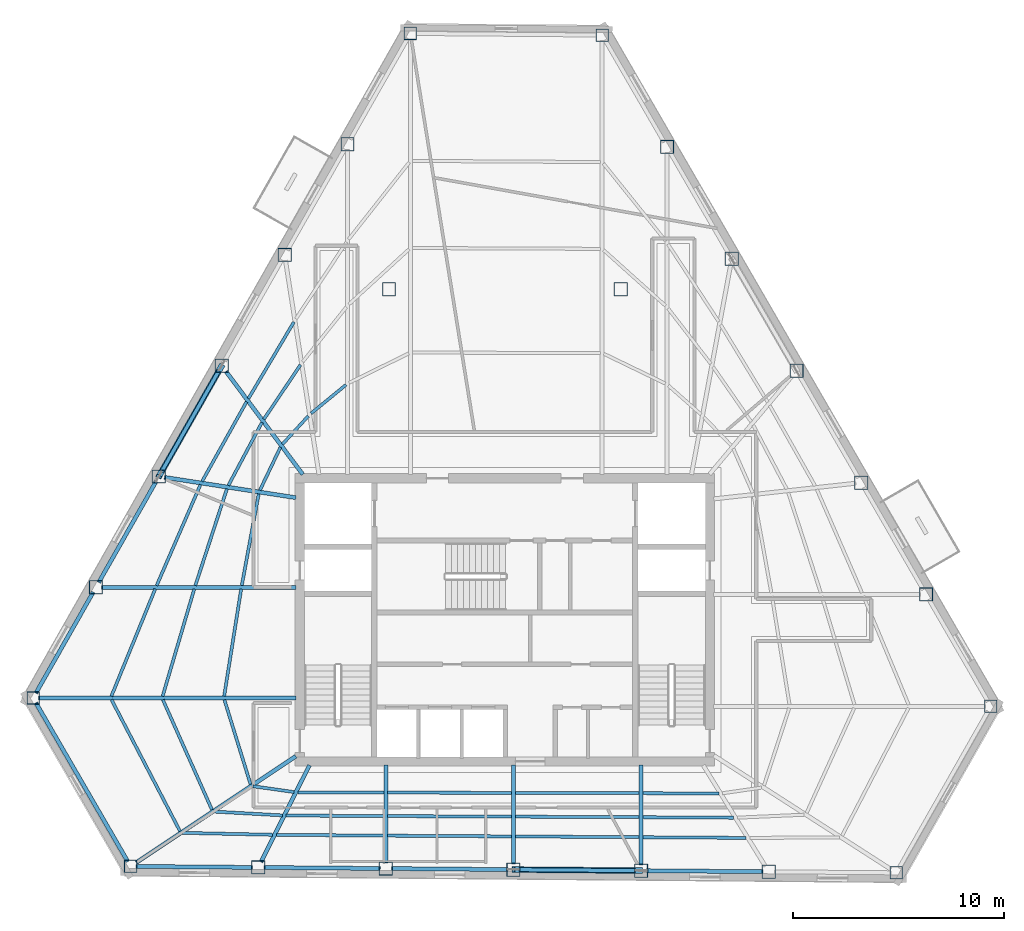
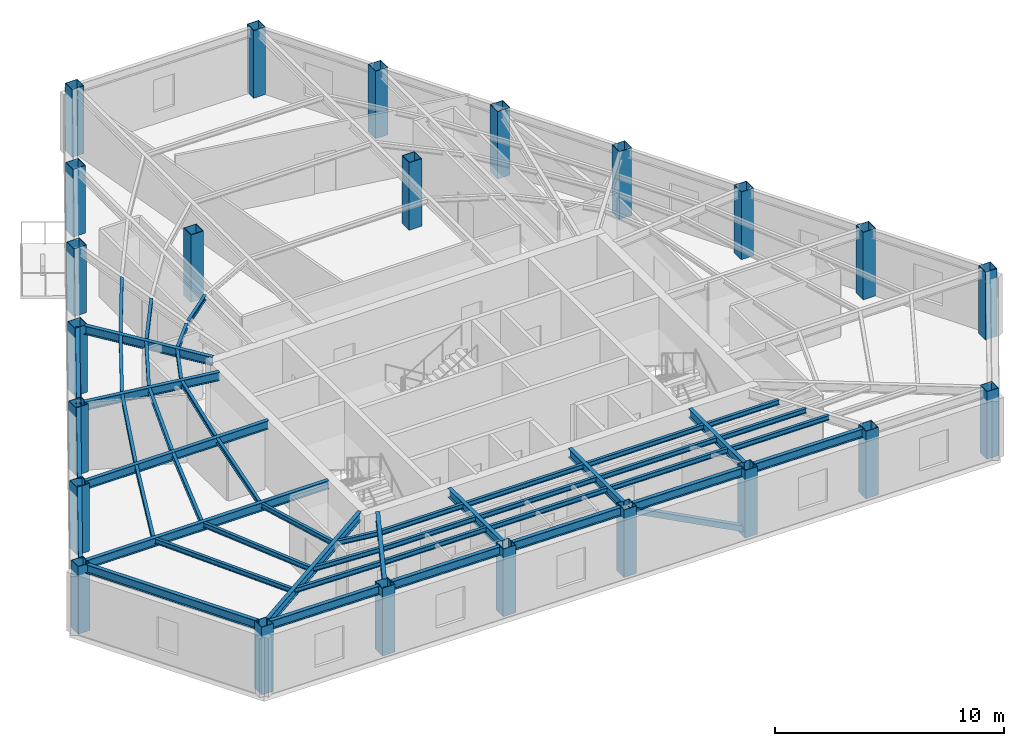
# One storey, part 1 of 9: 49 beams, 23 columns, 2 members.
"""IFC4 building model written with IfcOpenShell, lengths in metres."""

from ifc_helpers import new_model, si_unit, direction, frame, origin, origin_2d, place, context, subcontext, project, spatial, hollow_rectangle, i_section, extrude, material, material_profile, profile_set, type_object, element, save


model = new_model("IFC4")

# Units and contexts
model_context = context("Model", 3, precision=1e-05, world=origin(), true_north=direction((0.0, 1.0)))
body_context = subcontext(model_context, "Body", "Model", "MODEL_VIEW")
ifc_project = project(units=[si_unit("LENGTHUNIT", "METRE"), si_unit("AREAUNIT", "SQUARE_METRE"), si_unit("VOLUMEUNIT", "CUBIC_METRE"), si_unit("PLANEANGLEUNIT", "RADIAN"), si_unit("MASSUNIT", "GRAM", prefix="KILO")], contexts=[model_context])

# Site, building, storey
site_placement = place(None, origin())
site = spatial("IfcSite", under=ifc_project, at=site_placement, CompositionType="ELEMENT")
building_placement = place(site_placement, origin())
building = spatial("IfcBuilding", under=site, at=building_placement, Name="Kavelnor Concourse Tower", CompositionType="ELEMENT")
storey_placement = place(building_placement, frame((0.0, 0.0, 176.550048828125)))
storey = spatial("IfcBuildingStorey", under=building, at=storey_placement, Name="L44", CompositionType="ELEMENT", Elevation=176.550048828125)

# Columns
ifc_material = material(Name="Steel Grade 350", Category="steel")
ifc_material_profile_1 = material_profile(ifc_material, hollow_rectangle(XDim=0.60009765625, YDim=0.60009765625, WallThickness=0.028076171875, at=origin_2d()), Name="SHS 600x600x28")
ifc_profile_set_1 = profile_set([ifc_material_profile_1], Name="Steel Grade 350")
column_type_1 = type_object("IfcColumnType", Name="COL-FOLD-Z3", PredefinedType="COLUMN", material=ifc_profile_set_1)
for number, where, z_axis, x_axis, name in (
    (1, (33.515380859375, 43.9462890625, 0.0), (0.0, 0.0, 1.0), (1.0, 0.0, 0.0), "L44 Perimeter Corner-Fold Column F0-B0"),
    (2, (15.599609375, 12.389404296875, 0.0), (0.0, 0.0, 1.0), (1.0, 0.0, 0.0), "L44 Perimeter Corner-Fold Column F0-B6"),
    (3, (20.22802734375, 4.394287109375, 0.0), (0.0, 0.0, 1.0), (1.0, 0.0, 0.0), "L44 Perimeter Corner-Fold Column F1-B0"),
    (4, (56.59228515625, 4.087890625, 0.0), (0.0, 0.0, 1.0), (1.0, 0.0, 0.0), "L44 Perimeter Corner-Fold Column F1-B6"),
    (5, (61.079833984375, 11.992431640625, 0.0), (0.0, 0.0, 1.0), (1.0, 0.0, 0.0), "L44 Perimeter Corner-Fold Column F2-B0"),
    (6, (42.62548828125, 43.869384765625, 0.0), (0.0, 0.0, 1.0), (1.0, 0.0, 0.0), "L44 Perimeter Corner-Fold Column F2-B6"),
):
    element("IfcColumn", number, at=place(storey_placement, frame(where, z_axis=z_axis, x_axis=x_axis)), inside=storey, type_object=column_type_1, Name=name, PredefinedType="COLUMN", context=body_context, shape_type="SweptSolid", body=[
        extrude(hollow_rectangle(XDim=0.60009765625, YDim=0.60009765625, WallThickness=0.028076171875, at=origin_2d()), origin(), (0.0, 0.0, 1.0), 3.599853515625),
    ])
ifc_material_profile_2 = material_profile(ifc_material, hollow_rectangle(XDim=0.639892578125, YDim=0.639892578125, WallThickness=0.028076171875, at=origin_2d()), Name="SHS 640x640x28")
ifc_profile_set_2 = profile_set([ifc_material_profile_2], Name="Steel Grade 350")
column_type_2 = type_object("IfcColumnType", Name="COL-TUBE-Z3", PredefinedType="COLUMN", material=ifc_profile_set_2)
for number, where, z_axis, x_axis, name in (
    (7, (30.529296875, 38.686767578125, 0.0), (0.0, 0.0, 1.0), (1.0, 0.0, 0.0), "L44 Perimeter Framed-Tube Column F0-B1"),
    (8, (27.54345703125, 33.42724609375, 0.0), (0.0, 0.0, 1.0), (1.0, 0.0, 0.0), "L44 Perimeter Framed-Tube Column F0-B2"),
    (9, (24.5576171875, 28.167724609375, 0.0), (0.0, 0.0, 1.0), (1.0, 0.0, 0.0), "L44 Perimeter Framed-Tube Column F0-B3"),
    (10, (21.571533203125, 22.908203125, 0.0), (0.0, 0.0, 1.0), (1.0, 0.0, 0.0), "L44 Perimeter Framed-Tube Column F0-B4"),
    (11, (18.585693359375, 17.648681640625, 0.0), (0.0, 0.0, 1.0), (1.0, 0.0, 0.0), "L44 Perimeter Framed-Tube Column F0-B5"),
    (12, (26.288818359375, 4.34326171875, 0.0), (0.0, 0.0, 1.0), (1.0, 0.0, 0.0), "L44 Perimeter Framed-Tube Column F1-B1"),
    (13, (32.349609375, 4.2919921875, 0.0), (0.0, 0.0, 1.0), (1.0, 0.0, 0.0), "L44 Perimeter Framed-Tube Column F1-B2"),
    (14, (38.41015625, 4.2412109375, 0.0), (0.0, 0.0, 1.0), (1.0, 0.0, 0.0), "L44 Perimeter Framed-Tube Column F1-B3"),
    (15, (44.470947265625, 4.190185546875, 0.0), (0.0, 0.0, 1.0), (1.0, 0.0, 0.0), "L44 Perimeter Framed-Tube Column F1-B4"),
    (16, (50.531494140625, 4.138916015625, 0.0), (0.0, 0.0, 1.0), (1.0, 0.0, 0.0), "L44 Perimeter Framed-Tube Column F1-B5"),
    (17, (58.004150390625, 17.305419921875, 0.0), (0.0, 0.0, 1.0), (1.0, 0.0, 0.0), "L44 Perimeter Framed-Tube Column F2-B1"),
    (18, (54.928466796875, 22.6181640625, 0.0), (0.0, 0.0, 1.0), (1.0, 0.0, 0.0), "L44 Perimeter Framed-Tube Column F2-B2"),
    (19, (51.852783203125, 27.930908203125, 0.0), (0.0, 0.0, 1.0), (1.0, 0.0, 0.0), "L44 Perimeter Framed-Tube Column F2-B3"),
    (20, (48.777099609375, 33.243896484375, 0.0), (0.0, 0.0, 1.0), (1.0, 0.0, 0.0), "L44 Perimeter Framed-Tube Column F2-B4"),
    (21, (45.701416015625, 38.556640625, 0.0), (0.0, 0.0, 1.0), (1.0, 0.0, 0.0), "L44 Perimeter Framed-Tube Column F2-B5"),
    (22, (32.5, 31.800048828125, 0.0), (0.0, 0.0, 1.0), (1.0, 0.0, 0.0), "L44 North Interior Gravity Column BC-NW"),
    (23, (43.5, 31.800048828125, 0.0), (0.0, 0.0, 1.0), (1.0, 0.0, 0.0), "L44 North Interior Gravity Column BC-NE"),
):
    element("IfcColumn", number, at=place(storey_placement, frame(where, z_axis=z_axis, x_axis=x_axis)), inside=storey, type_object=column_type_2, Name=name, PredefinedType="COLUMN", context=body_context, shape_type="SweptSolid", body=[
        extrude(hollow_rectangle(XDim=0.639892578125, YDim=0.639892578125, WallThickness=0.028076171875, at=origin_2d()), origin(), (0.0, 0.0, 1.0), 3.599853515625),
    ])

# Beams
ifc_material_profile_3 = material_profile(ifc_material, i_section(OverallWidth=0.14599609375, OverallDepth=0.256103515625, WebThickness=0.00634765625, FlangeThickness=0.010986328125, at=origin_2d()), Name="250UB37")
ifc_profile_set_3 = profile_set([ifc_material_profile_3], Name="Steel Grade 350")
beam_type_1 = type_object("IfcBeamType", Name="BM-JOIST-250", PredefinedType="JOIST", material=ifc_profile_set_3)
beam_1_placement = place(storey_placement, frame((24.6845703125, 12.30419921875, 3.471923828125), z_axis=(0.295758347516, -0.955262791003, 0.0), x_axis=(0.955262791003, 0.295758347516, 0.0)))
element("IfcBeam", 24, at=beam_1_placement, inside=storey, type_object=beam_type_1, Name="L44 Secondary Composite Joist 01-1", PredefinedType="JOIST", context=body_context, shape_type="SweptSolid", body=[
    extrude(i_section(OverallWidth=0.14599609375, OverallDepth=0.256103515625, WebThickness=0.00634765625, FlangeThickness=0.010986328125, at=origin_2d()), origin(), (0.0, 0.0, 1.0), 4.1943359375),
])
beam_2_placement = place(storey_placement, frame((21.76171875, 12.30810546875, 3.471923828125), z_axis=(0.407744172497, -0.913096210591, 0.0), x_axis=(0.913096210591, 0.407744172497, 0.0)))
element("IfcBeam", 25, at=beam_2_placement, inside=storey, type_object=beam_type_1, Name="L44 Secondary Composite Joist 01-2", PredefinedType="JOIST", context=body_context, shape_type="SweptSolid", body=[
    extrude(i_section(OverallWidth=0.14599609375, OverallDepth=0.256103515625, WebThickness=0.00634765625, FlangeThickness=0.010986328125, at=origin_2d()), origin(), (0.0, 0.0, 1.0), 5.725341796875),
])
beam_3_placement = place(storey_placement, frame((19.322509765625, 12.310302734375, 3.471923828125), z_axis=(0.46207648492, -0.886840076949, 0.0), x_axis=(0.886840076949, 0.46207648492, 0.0)))
element("IfcBeam", 26, at=beam_3_placement, inside=storey, type_object=beam_type_1, Name="L44 Secondary Composite Joist 01-3", PredefinedType="JOIST", context=body_context, shape_type="SweptSolid", body=[
    extrude(i_section(OverallWidth=0.14599609375, OverallDepth=0.256103515625, WebThickness=0.00634765625, FlangeThickness=0.010986328125, at=origin_2d()), origin(), (0.0, 0.0, 1.0), 7.040283203125),
])
beam_4_placement = place(storey_placement, frame((26.039306640625, 8.199951171875, 3.471923828125), z_axis=(0.990131883058, -0.140138696127, 0.0), x_axis=(0.140138696127, 0.990131883058, 0.0)))
element("IfcBeam", 27, at=beam_4_placement, inside=storey, type_object=beam_type_1, Name="L44 Secondary Composite Joist 02-1", PredefinedType="JOIST", context=body_context, shape_type="SweptSolid", body=[
    extrude(i_section(OverallWidth=0.14599609375, OverallDepth=0.256103515625, WebThickness=0.00634765625, FlangeThickness=0.010986328125, at=origin_2d()), origin(), (0.0, 0.0, 1.0), 1.97216796875),
])
beam_5_placement = place(storey_placement, frame((24.22119140625, 6.994140625, 3.471923828125), z_axis=(0.998448206755, -0.055688225221, 0.0), x_axis=(0.055688225221, 0.998448206755, 0.0)))
element("IfcBeam", 28, at=beam_5_placement, inside=storey, type_object=beam_type_1, Name="L44 Secondary Composite Joist 02-2", PredefinedType="JOIST", context=body_context, shape_type="SweptSolid", body=[
    extrude(i_section(OverallWidth=0.14599609375, OverallDepth=0.256103515625, WebThickness=0.00634765625, FlangeThickness=0.010986328125, at=origin_2d()), origin(), (0.0, 0.0, 1.0), 3.22216796875),
])
beam_6_placement = place(storey_placement, frame((22.705810546875, 5.98583984375, 3.471923828125), z_axis=(0.999769182822, -0.02148443806, 0.0), x_axis=(0.02148443806, 0.999769182822, 0.0)))
element("IfcBeam", 29, at=beam_6_placement, inside=storey, type_object=beam_type_1, Name="L44 Secondary Composite Joist 02-3", PredefinedType="JOIST", context=body_context, shape_type="SweptSolid", body=[
    extrude(i_section(OverallWidth=0.14599609375, OverallDepth=0.256103515625, WebThickness=0.00634765625, FlangeThickness=0.010986328125, at=origin_2d()), origin(), (0.0, 0.0, 1.0), 4.272705078125),
])
beam_7_placement = place(storey_placement, frame((28.169189453125, 7.91064453125, 3.471923828125), z_axis=(0.999995725208, -0.002923964109, 0.0), x_axis=(0.002923964109, 0.999995725208, 0.0)))
element("IfcBeam", 30, at=beam_7_placement, inside=storey, type_object=beam_type_1, Name="L44 Secondary Composite Joist 03-1", PredefinedType="JOIST", context=body_context, shape_type="SweptSolid", body=[
    extrude(i_section(OverallWidth=0.14599609375, OverallDepth=0.256103515625, WebThickness=0.00634765625, FlangeThickness=0.010986328125, at=origin_2d()), origin(), (0.0, 0.0, 1.0), 4.09130859375),
])
beam_8_placement = place(storey_placement, frame((27.6162109375, 6.809326171875, 3.471923828125), z_axis=(0.999984767168, -0.005519550047, 0.0), x_axis=(0.005519550047, 0.999984767168, 0.0)))
element("IfcBeam", 31, at=beam_8_placement, inside=storey, type_object=beam_type_1, Name="L44 Secondary Composite Joist 03-2", PredefinedType="JOIST", context=body_context, shape_type="SweptSolid", body=[
    extrude(i_section(OverallWidth=0.14599609375, OverallDepth=0.256103515625, WebThickness=0.00634765625, FlangeThickness=0.010986328125, at=origin_2d()), origin(), (0.0, 0.0, 1.0), 4.644287109375),
])
beam_9_placement = place(storey_placement, frame((27.155517578125, 5.8916015625, 3.471923828125), z_axis=(0.999973231295, -0.007316877302, 0.0), x_axis=(0.007316877302, 0.999973231295, 0.0)))
element("IfcBeam", 32, at=beam_9_placement, inside=storey, type_object=beam_type_1, Name="L44 Secondary Composite Joist 03-3", PredefinedType="JOIST", context=body_context, shape_type="SweptSolid", body=[
    extrude(i_section(OverallWidth=0.14599609375, OverallDepth=0.256103515625, WebThickness=0.00634765625, FlangeThickness=0.010986328125, at=origin_2d()), origin(), (0.0, 0.0, 1.0), 5.105224609375),
])
for number, where, z_axis, x_axis, name in (
    (33, (32.4384765625, 7.8984375, 3.471923828125), (0.999997202127, -0.00236553123, 0.0), (0.00236553123, 0.999997202127, 0.0), "L44 Secondary Composite Joist 04-1"),
    (34, (32.4384765625, 6.78271484375, 3.471923828125), (0.999990505928, -0.00435752835, 0.0), (0.00435752835, 0.999990505928, 0.0), "L44 Secondary Composite Joist 04-2"),
    (35, (32.4384765625, 5.85302734375, 3.471923828125), (0.999981644178, -0.006058985726, 0.0), (0.006058985726, 0.999981644178, 0.0), "L44 Secondary Composite Joist 04-3"),
):
    element("IfcBeam", number, at=place(storey_placement, frame(where, z_axis=z_axis, x_axis=x_axis)), inside=storey, type_object=beam_type_1, Name=name, PredefinedType="JOIST", context=body_context, shape_type="SweptSolid", body=[
        extrude(i_section(OverallWidth=0.14599609375, OverallDepth=0.256103515625, WebThickness=0.00634765625, FlangeThickness=0.010986328125, at=origin_2d()), origin(), (0.0, 0.0, 1.0), 5.8828125),
    ])
for number, where, z_axis, x_axis, name in (
    (36, (38.499267578125, 7.884033203125, 3.471923828125), (0.999997201895, -0.002365629405, 0.0), (0.002365629405, 0.999997201895, 0.0), "L44 Secondary Composite Joist 05-1"),
    (37, (38.499267578125, 6.756103515625, 3.471923828125), (0.99999050514, -0.004357709194, 0.0), (0.004357709194, 0.99999050514, 0.0), "L44 Secondary Composite Joist 05-2"),
    (38, (38.499267578125, 5.81640625, 3.471923828125), (0.999981390329, -0.006100737264, 0.0), (0.006100737264, 0.999981390329, 0.0), "L44 Secondary Composite Joist 05-3"),
):
    element("IfcBeam", number, at=place(storey_placement, frame(where, z_axis=z_axis, x_axis=x_axis)), inside=storey, type_object=beam_type_1, Name=name, PredefinedType="JOIST", context=body_context, shape_type="SweptSolid", body=[
        extrude(i_section(OverallWidth=0.14599609375, OverallDepth=0.256103515625, WebThickness=0.00634765625, FlangeThickness=0.010986328125, at=origin_2d()), origin(), (0.0, 0.0, 1.0), 5.882568359375),
    ])
beam_10_placement = place(storey_placement, frame((44.559814453125, 7.86962890625, 3.471923828125), z_axis=(0.999989977006, -0.004477263312, 0.0), x_axis=(0.004477263312, 0.999989977006, 0.0)))
element("IfcBeam", 39, at=beam_10_placement, inside=storey, type_object=beam_type_1, Name="L44 Secondary Composite Joist 06-1", PredefinedType="JOIST", context=body_context, shape_type="SweptSolid", body=[
    extrude(i_section(OverallWidth=0.14599609375, OverallDepth=0.256103515625, WebThickness=0.00634765625, FlangeThickness=0.010986328125, at=origin_2d()), origin(), (0.0, 0.0, 1.0), 3.598876953125),
])
beam_11_placement = place(storey_placement, frame((44.559814453125, 6.7294921875, 3.471923828125), z_axis=(0.999982612979, -0.005896926273, 0.0), x_axis=(0.005896926273, 0.999982612979, 0.0)))
element("IfcBeam", 40, at=beam_11_placement, inside=storey, type_object=beam_type_1, Name="L44 Secondary Composite Joist 06-2", PredefinedType="JOIST", context=body_context, shape_type="SweptSolid", body=[
    extrude(i_section(OverallWidth=0.14599609375, OverallDepth=0.256103515625, WebThickness=0.00634765625, FlangeThickness=0.010986328125, at=origin_2d()), origin(), (0.0, 0.0, 1.0), 4.3056640625),
])
beam_12_placement = place(storey_placement, frame((44.559814453125, 5.779541015625, 3.471923828125), z_axis=(0.99997733074, -0.006733350274, 0.0), x_axis=(0.006733350274, 0.99997733074, 0.0)))
element("IfcBeam", 41, at=beam_12_placement, inside=storey, type_object=beam_type_1, Name="L44 Secondary Composite Joist 06-3", PredefinedType="JOIST", context=body_context, shape_type="SweptSolid", body=[
    extrude(i_section(OverallWidth=0.14599609375, OverallDepth=0.256103515625, WebThickness=0.00634765625, FlangeThickness=0.010986328125, at=origin_2d()), origin(), (0.0, 0.0, 1.0), 4.894775390625),
])
beam_13_placement = place(storey_placement, frame((30.46044921875, 27.26318359375, 3.471923828125), z_axis=(-0.773784994055, -0.633448326997, 0.0), x_axis=(0.633448326997, -0.773784994055, 0.0)))
element("IfcBeam", 42, at=beam_13_placement, inside=storey, type_object=beam_type_1, Name="L44 Secondary Composite Joist 17-1", PredefinedType="JOIST", context=body_context, shape_type="SweptSolid", body=[
    extrude(i_section(OverallWidth=0.14599609375, OverallDepth=0.256103515625, WebThickness=0.00634765625, FlangeThickness=0.010986328125, at=origin_2d()), origin(), (0.0, 0.0, 1.0), 2.146728515625),
])
beam_14_placement = place(storey_placement, frame((28.67041015625, 25.781494140625, 3.471923828125), z_axis=(-0.675712449997, -0.737165303659, 0.0), x_axis=(0.737165303659, -0.675712449997, 0.0)))
element("IfcBeam", 43, at=beam_14_placement, inside=storey, type_object=beam_type_1, Name="L44 Secondary Composite Joist 18-1", PredefinedType="JOIST", context=body_context, shape_type="SweptSolid", body=[
    extrude(i_section(OverallWidth=0.14599609375, OverallDepth=0.256103515625, WebThickness=0.00634765625, FlangeThickness=0.010986328125, at=origin_2d()), origin(), (0.0, 0.0, 1.0), 1.815673828125),
])
beam_15_placement = place(storey_placement, frame((28.298828125, 28.213134765625, 3.471923828125), z_axis=(-0.558217844981, -0.829694424198, 0.0), x_axis=(0.829694424198, -0.558217844981, 0.0)))
element("IfcBeam", 44, at=beam_15_placement, inside=storey, type_object=beam_type_1, Name="L44 Secondary Composite Joist 18-2", PredefinedType="JOIST", context=body_context, shape_type="SweptSolid", body=[
    extrude(i_section(OverallWidth=0.14599609375, OverallDepth=0.256103515625, WebThickness=0.00634765625, FlangeThickness=0.010986328125, at=origin_2d()), origin(), (0.0, 0.0, 1.0), 3.118896484375),
])
beam_16_placement = place(storey_placement, frame((27.984619140625, 30.24365234375, 3.471923828125), z_axis=(-0.510705425716, -0.859755760751, 0.0), x_axis=(0.859755760751, -0.510705425716, 0.0)))
element("IfcBeam", 45, at=beam_16_placement, inside=storey, type_object=beam_type_1, Name="L44 Secondary Composite Joist 18-3", PredefinedType="JOIST", context=body_context, shape_type="SweptSolid", body=[
    extrude(i_section(OverallWidth=0.14599609375, OverallDepth=0.256103515625, WebThickness=0.00634765625, FlangeThickness=0.010986328125, at=origin_2d()), origin(), (0.0, 0.0, 1.0), 4.230224609375),
])
beam_17_placement = place(storey_placement, frame((27.34521484375, 24.29736328125, 3.471923828125), z_axis=(-0.430895084741, -0.902402031218, 0.0), x_axis=(0.902402031218, -0.430895084741, 0.0)))
element("IfcBeam", 46, at=beam_17_placement, inside=storey, type_object=beam_type_1, Name="L44 Secondary Composite Joist 19-1", PredefinedType="JOIST", context=body_context, shape_type="SweptSolid", body=[
    extrude(i_section(OverallWidth=0.14599609375, OverallDepth=0.256103515625, WebThickness=0.00634765625, FlangeThickness=0.010986328125, at=origin_2d()), origin(), (0.0, 0.0, 1.0), 2.266357421875),
])
beam_18_placement = place(storey_placement, frame((26.46630859375, 25.47314453125, 3.471923828125), z_axis=(-0.47023296156, -0.882542328652, 0.0), x_axis=(0.882542328652, -0.47023296156, 0.0)))
element("IfcBeam", 47, at=beam_18_placement, inside=storey, type_object=beam_type_1, Name="L44 Secondary Composite Joist 19-2", PredefinedType="JOIST", context=body_context, shape_type="SweptSolid", body=[
    extrude(i_section(OverallWidth=0.14599609375, OverallDepth=0.256103515625, WebThickness=0.00634765625, FlangeThickness=0.010986328125, at=origin_2d()), origin(), (0.0, 0.0, 1.0), 3.388671875),
])
beam_19_placement = place(storey_placement, frame((25.735107421875, 26.452392578125, 3.471923828125), z_axis=(-0.487730302734, -0.872994359544, 0.0), x_axis=(0.872994359544, -0.487730302734, 0.0)))
element("IfcBeam", 48, at=beam_19_placement, inside=storey, type_object=beam_type_1, Name="L44 Secondary Composite Joist 19-3", PredefinedType="JOIST", context=body_context, shape_type="SweptSolid", body=[
    extrude(i_section(OverallWidth=0.14599609375, OverallDepth=0.256103515625, WebThickness=0.00634765625, FlangeThickness=0.010986328125, at=origin_2d()), origin(), (0.0, 0.0, 1.0), 4.326904296875),
])
beam_20_placement = place(storey_placement, frame((26.31396484375, 22.08447265625, 3.471923828125), z_axis=(-0.181707658148, -0.983352595446, 0.0), x_axis=(0.983352595446, -0.181707658148, 0.0)))
element("IfcBeam", 49, at=beam_20_placement, inside=storey, type_object=beam_type_1, Name="L44 Secondary Composite Joist 20-1", PredefinedType="JOIST", context=body_context, shape_type="SweptSolid", body=[
    extrude(i_section(OverallWidth=0.14599609375, OverallDepth=0.256103515625, WebThickness=0.00634765625, FlangeThickness=0.010986328125, at=origin_2d()), origin(), (0.0, 0.0, 1.0), 4.421875),
])
beam_21_placement = place(storey_placement, frame((24.80322265625, 22.3193359375, 3.471923828125), z_axis=(-0.310422313881, -0.950598751864, 0.0), x_axis=(0.950598751864, -0.310422313881, 0.0)))
element("IfcBeam", 50, at=beam_21_placement, inside=storey, type_object=beam_type_1, Name="L44 Secondary Composite Joist 20-2", PredefinedType="JOIST", context=body_context, shape_type="SweptSolid", body=[
    extrude(i_section(OverallWidth=0.14599609375, OverallDepth=0.256103515625, WebThickness=0.00634765625, FlangeThickness=0.010986328125, at=origin_2d()), origin(), (0.0, 0.0, 1.0), 4.82421875),
])
beam_22_placement = place(storey_placement, frame((23.5458984375, 22.515625, 3.471923828125), z_axis=(-0.398500236862, -0.917168229509, 0.0), x_axis=(0.917168229509, -0.398500236862, 0.0)))
element("IfcBeam", 51, at=beam_22_placement, inside=storey, type_object=beam_type_1, Name="L44 Secondary Composite Joist 20-3", PredefinedType="JOIST", context=body_context, shape_type="SweptSolid", body=[
    extrude(i_section(OverallWidth=0.14599609375, OverallDepth=0.256103515625, WebThickness=0.00634765625, FlangeThickness=0.010986328125, at=origin_2d()), origin(), (0.0, 0.0, 1.0), 5.21728515625),
])
beam_23_placement = place(storey_placement, frame((25.48046875, 17.560791015625, 3.471923828125), z_axis=(-0.156995192793, -0.987599366869, 0.0), x_axis=(0.987599366869, -0.156995192793, 0.0)))
element("IfcBeam", 52, at=beam_23_placement, inside=storey, type_object=beam_type_1, Name="L44 Secondary Composite Joist 21-1", PredefinedType="JOIST", context=body_context, shape_type="SweptSolid", body=[
    extrude(i_section(OverallWidth=0.14599609375, OverallDepth=0.256103515625, WebThickness=0.00634765625, FlangeThickness=0.010986328125, at=origin_2d()), origin(), (0.0, 0.0, 1.0), 5.147216796875),
])
beam_24_placement = place(storey_placement, frame((23.2529296875, 17.5634765625, 3.471923828125), z_axis=(-0.283157628569, -0.959073384775, 0.0), x_axis=(0.959073384775, -0.283157628569, 0.0)))
element("IfcBeam", 53, at=beam_24_placement, inside=storey, type_object=beam_type_1, Name="L44 Secondary Composite Joist 21-2", PredefinedType="JOIST", context=body_context, shape_type="SweptSolid", body=[
    extrude(i_section(OverallWidth=0.14599609375, OverallDepth=0.256103515625, WebThickness=0.00634765625, FlangeThickness=0.010986328125, at=origin_2d()), origin(), (0.0, 0.0, 1.0), 5.305908203125),
])
beam_25_placement = place(storey_placement, frame((21.397705078125, 17.56640625, 3.471923828125), z_axis=(-0.37840830255, -0.925638782982, 0.0), x_axis=(0.925638782982, -0.37840830255, 0.0)))
element("IfcBeam", 54, at=beam_25_placement, inside=storey, type_object=beam_type_1, Name="L44 Secondary Composite Joist 21-3", PredefinedType="JOIST", context=body_context, shape_type="SweptSolid", body=[
    extrude(i_section(OverallWidth=0.14599609375, OverallDepth=0.256103515625, WebThickness=0.00634765625, FlangeThickness=0.010986328125, at=origin_2d()), origin(), (0.0, 0.0, 1.0), 5.50390625),
])
ifc_material_profile_4 = material_profile(ifc_material, i_section(OverallWidth=0.18994140625, OverallDepth=0.4541015625, WebThickness=0.008544921875, FlangeThickness=0.0126953125, at=origin_2d()), Name="460UB67")
ifc_profile_set_4 = profile_set([ifc_material_profile_4], Name="Steel Grade 350")
beam_type_2 = type_object("IfcBeamType", Name="BM-PRIMARY-460", PredefinedType="BEAM", material=ifc_profile_set_4)
beam_26_placement = place(storey_placement, frame((28.40478515625, 23.0078125, 3.373046875), z_axis=(-0.597731494352, 0.80169636438, 0.0), x_axis=(-0.80169636438, -0.597731494352, 0.0)))
element("IfcBeam", 55, at=beam_26_placement, inside=storey, type_object=beam_type_2, Name="L44 Primary Floor Girder F0-B3", PredefinedType="BEAM", context=body_context, shape_type="SweptSolid", body=[
    extrude(i_section(OverallWidth=0.18994140625, OverallDepth=0.4541015625, WebThickness=0.008544921875, FlangeThickness=0.0126953125, at=origin_2d()), origin(), (0.0, 0.0, 1.0), 6.102294921875),
])
beam_27_placement = place(storey_placement, frame((28.07958984375, 21.901123046875, 3.373046875), z_axis=(-0.988237378602, 0.152927706888, 0.0), x_axis=(-0.152927706888, -0.988237378602, 0.0)))
element("IfcBeam", 56, at=beam_27_placement, inside=storey, type_object=beam_type_2, Name="L44 Primary Floor Girder F0-B4", PredefinedType="BEAM", context=body_context, shape_type="SweptSolid", body=[
    extrude(i_section(OverallWidth=0.18994140625, OverallDepth=0.4541015625, WebThickness=0.008544921875, FlangeThickness=0.0126953125, at=origin_2d()), origin(), (0.0, 0.0, 1.0), 6.322021484375),
])
beam_28_placement = place(storey_placement, frame((28.080078125, 17.648681640625, 3.373046875), z_axis=(-1.0, 0.0, 0.0), x_axis=(0.0, -1.0, 0.0)))
element("IfcBeam", 57, at=beam_28_placement, inside=storey, type_object=beam_type_2, Name="L44 Primary Floor Girder F0-B5", PredefinedType="BEAM", context=body_context, shape_type="SweptSolid", body=[
    extrude(i_section(OverallWidth=0.18994140625, OverallDepth=0.4541015625, WebThickness=0.008544921875, FlangeThickness=0.0126953125, at=origin_2d()), origin(), (0.0, 0.0, 1.0), 9.234375),
])
beam_29_placement = place(storey_placement, frame((28.080078125, 12.389404296875, 3.373046875), z_axis=(-1.0, 0.0, 0.0), x_axis=(0.0, -1.0, 0.0)))
element("IfcBeam", 58, at=beam_29_placement, inside=storey, type_object=beam_type_2, Name="L44 Primary Floor Girder F0-B6", PredefinedType="BEAM", context=body_context, shape_type="SweptSolid", body=[
    extrude(i_section(OverallWidth=0.18994140625, OverallDepth=0.4541015625, WebThickness=0.008544921875, FlangeThickness=0.0126953125, at=origin_2d()), origin(), (0.0, 0.0, 1.0), 12.220458984375),
])
beam_30_placement = place(storey_placement, frame((28.0732421875, 9.628173828125, 3.373046875), z_axis=(-0.831852344745, -0.554997005885, 0.0), x_axis=(0.554997005885, -0.831852344745, 0.0)))
element("IfcBeam", 59, at=beam_30_placement, inside=storey, type_object=beam_type_2, Name="L44 Primary Floor Girder F1-B0", PredefinedType="BEAM", context=body_context, shape_type="SweptSolid", body=[
    extrude(i_section(OverallWidth=0.18994140625, OverallDepth=0.4541015625, WebThickness=0.008544921875, FlangeThickness=0.0126953125, at=origin_2d()), origin(), (0.0, 0.0, 1.0), 9.1103515625),
])
beam_31_placement = place(storey_placement, frame((28.72509765625, 9.19580078125, 3.373046875), z_axis=(-0.448696589175, -0.893684156099, 0.0), x_axis=(0.893684156099, -0.448696589175, 0.0)))
element("IfcBeam", 60, at=beam_31_placement, inside=storey, type_object=beam_type_2, Name="L44 Primary Floor Girder F1-B1", PredefinedType="BEAM", context=body_context, shape_type="SweptSolid", body=[
    extrude(i_section(OverallWidth=0.18994140625, OverallDepth=0.4541015625, WebThickness=0.008544921875, FlangeThickness=0.0126953125, at=origin_2d()), origin(), (0.0, 0.0, 1.0), 5.13427734375),
])
beam_32_placement = place(storey_placement, frame((32.349609375, 9.199951171875, 3.373046875), z_axis=(0.0, -1.0, 0.0), x_axis=(1.0, 0.0, 0.0)))
element("IfcBeam", 61, at=beam_32_placement, inside=storey, type_object=beam_type_2, Name="L44 Primary Floor Girder F1-B2", PredefinedType="BEAM", context=body_context, shape_type="SweptSolid", body=[
    extrude(i_section(OverallWidth=0.18994140625, OverallDepth=0.4541015625, WebThickness=0.008544921875, FlangeThickness=0.0126953125, at=origin_2d()), origin(), (0.0, 0.0, 1.0), 4.64794921875),
])
beam_33_placement = place(storey_placement, frame((38.41015625, 9.199951171875, 3.373046875), z_axis=(0.0, -1.0, 0.0), x_axis=(1.0, 0.0, 0.0)))
element("IfcBeam", 62, at=beam_33_placement, inside=storey, type_object=beam_type_2, Name="L44 Primary Floor Girder F1-B3", PredefinedType="BEAM", context=body_context, shape_type="SweptSolid", body=[
    extrude(i_section(OverallWidth=0.18994140625, OverallDepth=0.4541015625, WebThickness=0.008544921875, FlangeThickness=0.0126953125, at=origin_2d()), origin(), (0.0, 0.0, 1.0), 4.69873046875),
])
beam_34_placement = place(storey_placement, frame((44.470947265625, 9.199951171875, 3.373046875), z_axis=(0.0, -1.0, 0.0), x_axis=(1.0, 0.0, 0.0)))
element("IfcBeam", 63, at=beam_34_placement, inside=storey, type_object=beam_type_2, Name="L44 Primary Floor Girder F1-B4", PredefinedType="BEAM", context=body_context, shape_type="SweptSolid", body=[
    extrude(i_section(OverallWidth=0.18994140625, OverallDepth=0.4541015625, WebThickness=0.008544921875, FlangeThickness=0.0126953125, at=origin_2d()), origin(), (0.0, 0.0, 1.0), 4.749755859375),
])
ifc_material_profile_5 = material_profile(ifc_material, i_section(OverallWidth=0.19091796875, OverallDepth=0.4599609375, WebThickness=0.010009765625, FlangeThickness=0.01611328125, at=origin_2d()), Name="460UB82")
ifc_profile_set_5 = profile_set([ifc_material_profile_5], Name="Steel Grade 350")
beam_type_3 = type_object("IfcBeamType", Name="BM-SPANDREL-Z3", PredefinedType="SPANDREL", material=ifc_profile_set_5)
beam_35_placement = place(storey_placement, frame((24.4267578125, 27.937255859375, 3.369873046875), z_axis=(-0.493721283394, -0.869620201193, 0.0), x_axis=(0.869620201193, -0.493721283394, 0.0)))
element("IfcBeam", 64, at=beam_35_placement, inside=storey, type_object=beam_type_3, Name="L44 Perimeter Tube Spandrel Beam F0-B3", PredefinedType="SPANDREL", context=body_context, shape_type="SweptSolid", body=[
    extrude(i_section(OverallWidth=0.19091796875, OverallDepth=0.4599609375, WebThickness=0.010009765625, FlangeThickness=0.01611328125, at=origin_2d()), origin(), (0.0, 0.0, 1.0), 5.51806640625),
])
for number, where, z_axis, x_axis, name in (
    (65, (21.440673828125, 22.677734375, 3.369873046875), (-0.493740280265, -0.869609415568, 0.0), (0.869609415568, -0.493740280265, 0.0), "L44 Perimeter Tube Spandrel Beam F0-B4"),
    (66, (18.454833984375, 17.418212890625, 3.369873046875), (-0.493740280265, -0.869609415568, 0.0), (0.869609415568, -0.493740280265, 0.0), "L44 Perimeter Tube Spandrel Beam F0-B5"),
):
    element("IfcBeam", number, at=place(storey_placement, frame(where, z_axis=z_axis, x_axis=x_axis)), inside=storey, type_object=beam_type_3, Name=name, PredefinedType="SPANDREL", context=body_context, shape_type="SweptSolid", body=[
        extrude(i_section(OverallWidth=0.19091796875, OverallDepth=0.4599609375, WebThickness=0.010009765625, FlangeThickness=0.01611328125, at=origin_2d()), origin(), (0.0, 0.0, 1.0), 5.517822265625),
    ])
beam_36_placement = place(storey_placement, frame((20.4931640625, 4.39208984375, 3.369873046875), z_axis=(0.999964456341, -0.008431254631, 0.0), x_axis=(0.008431254631, 0.999964456341, 0.0)))
element("IfcBeam", 67, at=beam_36_placement, inside=storey, type_object=beam_type_3, Name="L44 Perimeter Tube Spandrel Beam F1-B0", PredefinedType="SPANDREL", context=body_context, shape_type="SweptSolid", body=[
    extrude(i_section(OverallWidth=0.19091796875, OverallDepth=0.4599609375, WebThickness=0.010009765625, FlangeThickness=0.01611328125, at=origin_2d()), origin(), (0.0, 0.0, 1.0), 5.53076171875),
])
for number, where, z_axis, x_axis, name in (
    (68, (26.5537109375, 4.341064453125, 3.369873046875), (0.999964086373, -0.008475020066, 0.0), (0.008475020066, 0.999964086373, 0.0), "L44 Perimeter Tube Spandrel Beam F1-B1"),
    (69, (32.614501953125, 4.289794921875, 3.369873046875), (0.999964830637, -0.00838674485, 0.0), (0.00838674485, 0.999964830637, 0.0), "L44 Perimeter Tube Spandrel Beam F1-B2"),
):
    element("IfcBeam", number, at=place(storey_placement, frame(where, z_axis=z_axis, x_axis=x_axis)), inside=storey, type_object=beam_type_3, Name=name, PredefinedType="SPANDREL", context=body_context, shape_type="SweptSolid", body=[
        extrude(i_section(OverallWidth=0.19091796875, OverallDepth=0.4599609375, WebThickness=0.010009765625, FlangeThickness=0.01611328125, at=origin_2d()), origin(), (0.0, 0.0, 1.0), 5.531005859375),
    ])
beam_37_placement = place(storey_placement, frame((38.67529296875, 4.239013671875, 3.369873046875), z_axis=(0.999964456341, -0.008431254631, 0.0), x_axis=(0.008431254631, 0.999964456341, 0.0)))
element("IfcBeam", 70, at=beam_37_placement, inside=storey, type_object=beam_type_3, Name="L44 Perimeter Tube Spandrel Beam F1-B3", PredefinedType="SPANDREL", context=body_context, shape_type="SweptSolid", body=[
    extrude(i_section(OverallWidth=0.19091796875, OverallDepth=0.4599609375, WebThickness=0.010009765625, FlangeThickness=0.01611328125, at=origin_2d()), origin(), (0.0, 0.0, 1.0), 5.53076171875),
])
beam_38_placement = place(storey_placement, frame((44.73583984375, 4.18798828125, 3.369873046875), z_axis=(0.999964086373, -0.008475020066, 0.0), x_axis=(0.008475020066, 0.999964086373, 0.0)))
element("IfcBeam", 71, at=beam_38_placement, inside=storey, type_object=beam_type_3, Name="L44 Perimeter Tube Spandrel Beam F1-B4", PredefinedType="SPANDREL", context=body_context, shape_type="SweptSolid", body=[
    extrude(i_section(OverallWidth=0.19091796875, OverallDepth=0.4599609375, WebThickness=0.010009765625, FlangeThickness=0.01611328125, at=origin_2d()), origin(), (0.0, 0.0, 1.0), 5.531005859375),
])
beam_39_placement = place(storey_placement, frame((15.732421875, 12.159912109375, 3.369873046875), z_axis=(0.501004220688, -0.865444839867, 0.0), x_axis=(0.865444839867, 0.501004220688, 0.0)))
element("IfcBeam", 72, at=beam_39_placement, inside=storey, type_object=beam_type_3, Name="L44 Chamfer Facet Spandrel Beam C1", PredefinedType="SPANDREL", context=body_context, shape_type="SweptSolid", body=[
    extrude(i_section(OverallWidth=0.19091796875, OverallDepth=0.4599609375, WebThickness=0.010009765625, FlangeThickness=0.01611328125, at=origin_2d()), origin(), (0.0, 0.0, 1.0), 8.7080078125),
])

# Members
ifc_material_profile_6 = material_profile(ifc_material, hollow_rectangle(XDim=0.280029296875, YDim=0.280029296875, WallThickness=0.01611328125, at=origin_2d()), Name="SHS 280x280x16")
ifc_profile_set_6 = profile_set([ifc_material_profile_6], Name="Steel Grade 350")
member_type = type_object("IfcMemberType", Name="MBR-TUBE-DIAG-Z3", PredefinedType="BRACE", material=ifc_profile_set_6)
member_1_placement = place(storey_placement, frame((24.5576171875, 28.167724609375, 0.219970703125), z_axis=(-0.437895193399, -0.771284126515, 0.461918386497), x_axis=(0.869618465842, -0.493724339958, 0.0)))
element("IfcMember", 73, at=member_1_placement, inside=storey, type_object=member_type, Name="L44 Framed-Tube Bracing Diagonal F0-B3", PredefinedType="BRACE", context=body_context, shape_type="SweptSolid", body=[
    extrude(hollow_rectangle(XDim=0.280029296875, YDim=0.280029296875, WallThickness=0.01611328125, at=origin_2d()), origin(), (0.0, 0.0, 1.0), 6.819091796875),
])
member_2_placement = place(storey_placement, frame((44.470947265625, 4.190185546875, 0.219970703125), z_axis=(-0.887294434106, 0.007470071973, 0.461142911937), x_axis=(-0.008418634183, -0.999964562671, 0.0)))
element("IfcMember", 74, at=member_2_placement, inside=storey, type_object=member_type, Name="L44 Framed-Tube Bracing Diagonal F1-B3", PredefinedType="BRACE", context=body_context, shape_type="SweptSolid", body=[
    extrude(hollow_rectangle(XDim=0.280029296875, YDim=0.280029296875, WallThickness=0.01611328125, at=origin_2d()), origin(), (0.0, 0.0, 1.0), 6.83056640625),
])

save(model, "model.ifc")
